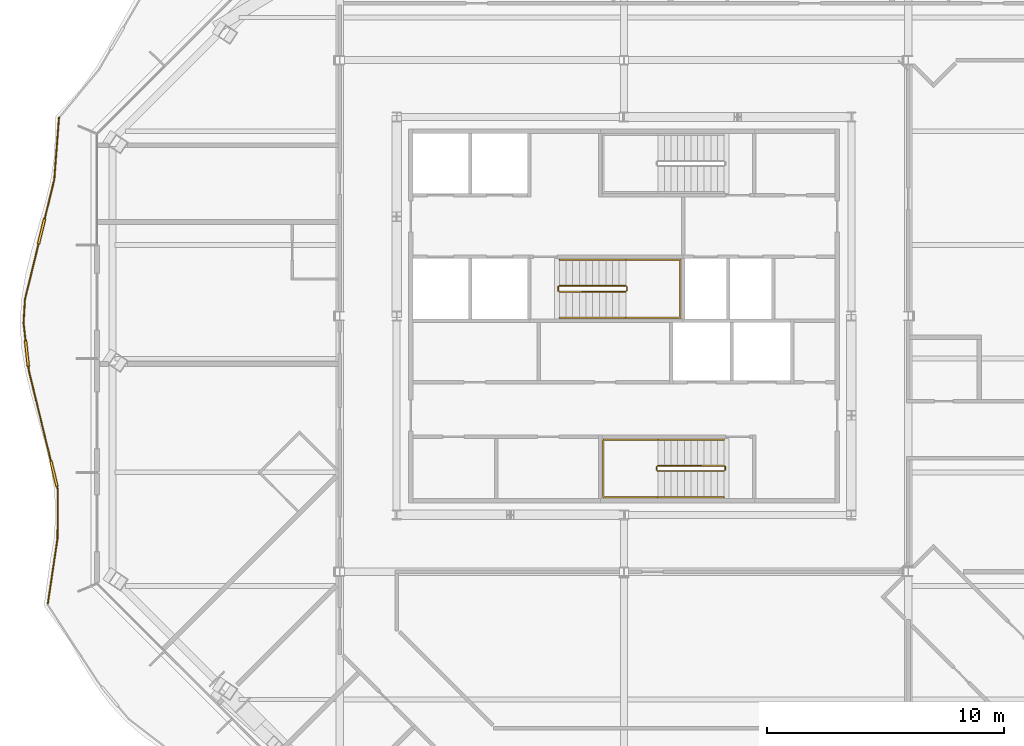
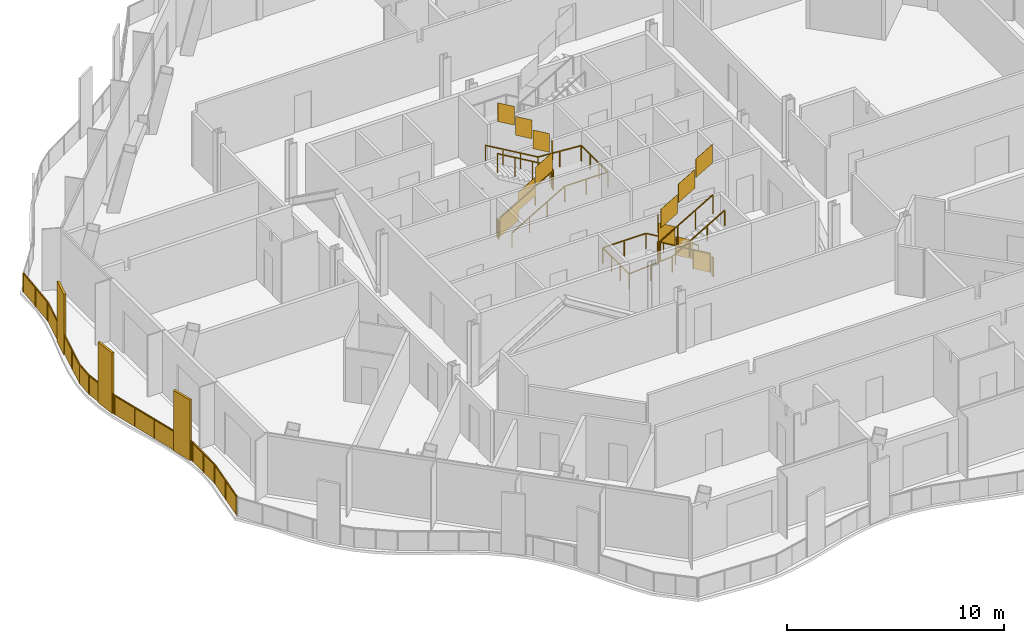
# One storey, part 16 of 19: 7 railings.
"""IFC4 building model written with IfcOpenShell, lengths in metres."""

from ifc_helpers import new_model, si_unit, direction, frame, origin, origin_2d, place, context, subcontext, project, spatial, polyline, rectangle, outline, extrude, material, type_object, element, save


model = new_model("IFC4")

# Units and contexts
model_context = context("Model", 3, precision=1e-05, world=origin(), true_north=direction((0.0, 1.0)))
body_context = subcontext(model_context, "Body", "Model", "MODEL_VIEW")
ifc_project = project(units=[si_unit("LENGTHUNIT", "METRE"), si_unit("AREAUNIT", "SQUARE_METRE"), si_unit("VOLUMEUNIT", "CUBIC_METRE"), si_unit("PLANEANGLEUNIT", "RADIAN"), si_unit("MASSUNIT", "GRAM", prefix="KILO")], contexts=[model_context])

# Site, building, storey
site_placement = place(None, origin())
site = spatial("IfcSite", under=ifc_project, at=site_placement, CompositionType="ELEMENT")
building_placement = place(site_placement, origin())
building = spatial("IfcBuilding", under=site, at=building_placement, Name="Cairn Pilgrim Tower", CompositionType="ELEMENT")
storey_placement = place(building_placement, frame((0.0, 0.0, 193.800048828125)))
storey = spatial("IfcBuildingStorey", under=building, at=storey_placement, Name="L49", CompositionType="ELEMENT", Elevation=193.800048828125)

# Railings
ifc_material_1 = material(Name="Bronze anodised aluminium rail, posts and fin screens with laminated glass infill", Category="aluminium")
railing_type_1 = type_object("IfcRailingType", Name="BALCONY GUARD WITH FIN SCREENS", PredefinedType="GUARDRAIL", material=ifc_material_1)
railing_1_placement = place(storey_placement, frame((-16.65478515625, 10.7626953125, 0.0)))
element("IfcRailing", 1, at=railing_1_placement, inside=storey, type_object=railing_type_1, Name="Balcony guard BGF-7 with fin screens", PredefinedType="GUARDRAIL", context=body_context, shape_type="SweptSolid", body=[
    extrude(rectangle(XDim=0.050048828125, YDim=0.050048828125, at=origin_2d()), frame((0.0, 0.0, 1.0751953125), z_axis=(-0.07608963483, -0.997100981582, 0.0), x_axis=(0.997100981582, -0.07608963483, 0.0)), (0.0, 0.0, 1.0), 2.614990234375),
    extrude(rectangle(XDim=1.10009765625, YDim=0.110107421875, at=origin_2d()), frame((-0.7333984375, -4.790283203125, 0.0), z_axis=(0.0, 0.0, 1.0), x_axis=(-0.237772017759, -0.971320991007, 0.0)), (0.0, 0.0, 1.0), 3.39990234375),
    extrude(rectangle(XDim=0.050048828125, YDim=0.050048828125, at=origin_2d()), frame((-0.198974609375, -2.607421875, 1.0751953125), z_axis=(-0.237772017759, -0.971320991007, 0.0), x_axis=(0.971320991007, -0.237772017759, 0.0)), (0.0, 0.0, 1.0), 1.697265625),
    extrude(rectangle(XDim=0.050048828125, YDim=0.050048828125, at=origin_2d()), frame((-0.864013671875, -5.324462890625, 1.0751953125), z_axis=(-0.237772017759, -0.971320991007, 0.0), x_axis=(0.971320991007, -0.237772017759, 0.0)), (0.0, 0.0, 1.0), 2.4033203125),
    extrude(rectangle(XDim=0.050048828125, YDim=0.050048828125, at=origin_2d()), frame((-1.435546875, -7.658935546875, 1.0751953125), z_axis=(-0.0599120253, -0.998203661196, 0.0), x_axis=(0.998203661196, -0.0599120253, 0.0)), (0.0, 0.0, 1.0), 0.986083984375),
    extrude(rectangle(XDim=1.10009765625, YDim=0.110107421875, at=origin_2d()), frame((-1.353271484375, -9.946044921875, 0.0), z_axis=(0.0, 0.0, 1.0), x_axis=(0.107952211914, -0.994156084296, 0.0)), (0.0, 0.0, 1.0), 3.39990234375),
    extrude(rectangle(XDim=0.050048828125, YDim=0.050048828125, at=origin_2d()), frame((-1.49462890625, -8.643310546875, 1.0751953125), z_axis=(0.107952211914, -0.994156084296, 0.0), x_axis=(0.994156084296, 0.107952211914, 0.0)), (0.0, 0.0, 1.0), 0.760498046875),
    extrude(rectangle(XDim=0.050048828125, YDim=0.050048828125, at=origin_2d()), frame((-1.293701171875, -10.492919921875, 1.0751953125), z_axis=(0.107952211914, -0.994156084296, 0.0), x_axis=(0.994156084296, 0.107952211914, 0.0)), (0.0, 0.0, 1.0), 0.150146484375),
    extrude(rectangle(XDim=1.10009765625, YDim=0.110107421875, at=origin_2d()), frame((-0.2119140625, -15.02294921875, 0.0), z_axis=(0.0, 0.0, 1.0), x_axis=(0.236376696123, -0.971661493284, 0.0)), (0.0, 0.0, 1.0), 3.39990234375),
    extrude(rectangle(XDim=0.050048828125, YDim=0.050048828125, at=origin_2d()), frame((-1.277587890625, -10.64208984375, 1.0751953125), z_axis=(0.236376696123, -0.971661493284, 0.0), x_axis=(0.971661493284, 0.236376696123, 0.0)), (0.0, 0.0, 1.0), 3.95849609375),
    extrude(rectangle(XDim=0.050048828125, YDim=0.050048828125, at=origin_2d()), frame((-0.081787109375, -15.557373046875, 1.0751953125), z_axis=(0.236376696123, -0.971661493284, 0.0), x_axis=(0.971661493284, 0.236376696123, 0.0)), (0.0, 0.0, 1.0), 0.150146484375),
    extrude(rectangle(XDim=0.050048828125, YDim=0.050048828125, at=origin_2d()), frame((-0.04638671875, -15.703125, 1.0751953125), z_axis=(-0.007026145488, -0.999975316335, 0.0), x_axis=(0.999975316335, -0.007026145488, 0.0)), (0.0, 0.0, 1.0), 2.050048828125),
    extrude(rectangle(XDim=0.050048828125, YDim=0.050048828125, at=origin_2d()), frame((-0.060791015625, -17.753173828125, 1.0751953125), z_axis=(-0.147193886074, -0.989107658398, 0.0), x_axis=(0.989107658398, -0.147193886074, 0.0)), (0.0, 0.0, 1.0), 2.77001953125),
    extrude(rectangle(XDim=0.050048828125, YDim=0.050048828125, at=origin_2d()), origin(), (0.0, 0.0, 1.0), 1.050048828125),
    extrude(rectangle(XDim=0.050048828125, YDim=0.050048828125, at=origin_2d()), frame((-0.099609375, -1.3037109375, 0.0)), (0.0, 0.0, 1.0), 1.050048828125),
    extrude(rectangle(XDim=0.050048828125, YDim=0.050048828125, at=origin_2d()), frame((-0.198974609375, -2.607421875, 0.0)), (0.0, 0.0, 1.0), 1.050048828125),
    extrude(rectangle(XDim=0.050048828125, YDim=0.050048828125, at=origin_2d()), frame((-0.5966796875, -4.231689453125, 0.0)), (0.0, 0.0, 1.0), 1.050048828125),
    extrude(rectangle(XDim=0.050048828125, YDim=0.050048828125, at=origin_2d()), frame((-0.8701171875, -5.348876953125, 0.0)), (0.0, 0.0, 1.0), 1.050048828125),
    extrude(rectangle(XDim=0.050048828125, YDim=0.050048828125, at=origin_2d()), frame((-1.15283203125, -6.50390625, 0.0)), (0.0, 0.0, 1.0), 1.050048828125),
    extrude(rectangle(XDim=0.050048828125, YDim=0.050048828125, at=origin_2d()), frame((-1.435546875, -7.658935546875, 0.0)), (0.0, 0.0, 1.0), 1.050048828125),
    extrude(rectangle(XDim=0.050048828125, YDim=0.050048828125, at=origin_2d()), frame((-1.49462890625, -8.643310546875, 0.0)), (0.0, 0.0, 1.0), 1.050048828125),
    extrude(rectangle(XDim=0.050048828125, YDim=0.050048828125, at=origin_2d()), frame((-1.415283203125, -9.374267578125, 0.0)), (0.0, 0.0, 1.0), 1.050048828125),
    extrude(rectangle(XDim=0.050048828125, YDim=0.050048828125, at=origin_2d()), frame((-1.291015625, -10.517822265625, 0.0)), (0.0, 0.0, 1.0), 1.050048828125),
    extrude(rectangle(XDim=0.050048828125, YDim=0.050048828125, at=origin_2d()), frame((-1.277587890625, -10.64208984375, 0.0)), (0.0, 0.0, 1.0), 1.050048828125),
    extrude(rectangle(XDim=0.050048828125, YDim=0.050048828125, at=origin_2d()), frame((-0.9677734375, -11.916015625, 0.0)), (0.0, 0.0, 1.0), 1.050048828125),
    extrude(rectangle(XDim=0.050048828125, YDim=0.050048828125, at=origin_2d()), frame((-0.65771484375, -13.190185546875, 0.0)), (0.0, 0.0, 1.0), 1.050048828125),
    extrude(rectangle(XDim=0.050048828125, YDim=0.050048828125, at=origin_2d()), frame((-0.347900390625, -14.464111328125, 0.0)), (0.0, 0.0, 1.0), 1.050048828125),
    extrude(rectangle(XDim=0.050048828125, YDim=0.050048828125, at=origin_2d()), frame((-0.075927734375, -15.58154296875, 0.0)), (0.0, 0.0, 1.0), 1.050048828125),
    extrude(rectangle(XDim=0.050048828125, YDim=0.050048828125, at=origin_2d()), frame((-0.04638671875, -15.703125, 0.0)), (0.0, 0.0, 1.0), 1.050048828125),
    extrude(rectangle(XDim=0.050048828125, YDim=0.050048828125, at=origin_2d()), frame((-0.0537109375, -16.72802734375, 0.0)), (0.0, 0.0, 1.0), 1.050048828125),
    extrude(rectangle(XDim=0.050048828125, YDim=0.050048828125, at=origin_2d()), frame((-0.060791015625, -17.753173828125, 0.0)), (0.0, 0.0, 1.0), 1.050048828125),
    extrude(rectangle(XDim=0.050048828125, YDim=0.050048828125, at=origin_2d()), frame((-0.2646484375, -19.123046875, 0.0)), (0.0, 0.0, 1.0), 1.050048828125),
    extrude(rectangle(XDim=0.050048828125, YDim=0.050048828125, at=origin_2d()), frame((-0.468505859375, -20.492919921875, 0.0)), (0.0, 0.0, 1.0), 1.050048828125),
    extrude(outline(polyline([(0.02490234375, 0.0), (1.282470703125, 0.0), (1.282470703125, 1.050048828125), (0.02490234375, 1.050048828125), (0.02490234375, 0.0)])), frame((0.005859375, -0.00048828125, 0.0), z_axis=(-0.997100981582, 0.07608963483, 0.0), x_axis=(-0.07608963483, -0.997100981582, 0.0)), (0.0, 0.0, 1.0), 0.011962890625),
    extrude(outline(polyline([(0.02490234375, 0.0), (1.282470703125, 0.0), (1.282470703125, 1.050048828125), (0.02490234375, 1.050048828125), (0.02490234375, 0.0)])), frame((-0.093505859375, -1.30419921875, 0.0), z_axis=(-0.997100981582, 0.07608963483, 0.0), x_axis=(-0.07608963483, -0.997100981582, 0.0)), (0.0, 0.0, 1.0), 0.011962890625),
    extrude(outline(polyline([(0.02490234375, 0.0), (1.647216796875, 0.0), (1.647216796875, 1.050048828125), (0.02490234375, 1.050048828125), (0.02490234375, 0.0)])), frame((-0.193115234375, -2.60888671875, 0.0), z_axis=(-0.971320991007, 0.237772017759, 0.0), x_axis=(-0.237772017759, -0.971320991007, 0.0)), (0.0, 0.0, 1.0), 0.011962890625),
    extrude(outline(polyline([(0.02490234375, 0.0), (1.1640625, 0.0), (1.1640625, 1.050048828125), (0.02490234375, 1.050048828125), (0.02490234375, 0.0)])), frame((-0.8642578125, -5.350341796875, 0.0), z_axis=(-0.971320991007, 0.237772017759, 0.0), x_axis=(-0.237772017759, -0.971320991007, 0.0)), (0.0, 0.0, 1.0), 0.011962890625),
    extrude(outline(polyline([(0.02490234375, 0.0), (1.1640625, 0.0), (1.1640625, 1.050048828125), (0.02490234375, 1.050048828125), (0.02490234375, 0.0)])), frame((-1.14697265625, -6.50537109375, 0.0), z_axis=(-0.971320991007, 0.237772017759, 0.0), x_axis=(-0.237772017759, -0.971320991007, 0.0)), (0.0, 0.0, 1.0), 0.011962890625),
    extrude(outline(polyline([(0.02490234375, 0.0), (0.961181640625, 0.0), (0.961181640625, 1.050048828125), (0.02490234375, 1.050048828125), (0.02490234375, 0.0)])), frame((-1.4296875, -7.6591796875, 0.0), z_axis=(-0.998203661196, 0.0599120253, 0.0), x_axis=(-0.0599120253, -0.998203661196, 0.0)), (0.0, 0.0, 1.0), 0.011962890625),
    extrude(outline(polyline([(0.02490234375, 0.0), (0.71044921875, 0.0), (0.71044921875, 1.050048828125), (0.02490234375, 1.050048828125), (0.02490234375, 0.0)])), frame((-1.48876953125, -8.642578125, 0.0), z_axis=(-0.994156084296, -0.107952211914, 0.0), x_axis=(0.107952211914, -0.994156084296, 0.0)), (0.0, 0.0, 1.0), 0.011962890625),
    extrude(outline(polyline([(0.02490234375, 0.0), (0.10009765625, 0.0), (0.10009765625, 1.050048828125), (0.02490234375, 1.050048828125), (0.02490234375, 0.0)])), frame((-1.28515625, -10.51708984375, 0.0), z_axis=(-0.994156084296, -0.107952211914, 0.0), x_axis=(0.107952211914, -0.994156084296, 0.0)), (0.0, 0.0, 1.0), 0.011962890625),
    extrude(outline(polyline([(0.02490234375, 0.0), (1.2861328125, 0.0), (1.2861328125, 1.050048828125), (0.02490234375, 1.050048828125), (0.02490234375, 0.0)])), frame((-1.271728515625, -10.640625, 0.0), z_axis=(-0.971661493284, -0.236376696123, 0.0), x_axis=(0.236376696123, -0.971661493284, 0.0)), (0.0, 0.0, 1.0), 0.011962890625),
    extrude(outline(polyline([(0.02490234375, 0.0), (1.2861328125, 0.0), (1.2861328125, 1.050048828125), (0.02490234375, 1.050048828125), (0.02490234375, 0.0)])), frame((-0.9619140625, -11.914794921875, 0.0), z_axis=(-0.971661493284, -0.236376696123, 0.0), x_axis=(0.236376696123, -0.971661493284, 0.0)), (0.0, 0.0, 1.0), 0.011962890625),
    extrude(outline(polyline([(0.02490234375, 0.0), (1.2861328125, 0.0), (1.2861328125, 1.050048828125), (0.02490234375, 1.050048828125), (0.02490234375, 0.0)])), frame((-0.65185546875, -13.188720703125, 0.0), z_axis=(-0.971661493284, -0.236376696123, 0.0), x_axis=(0.236376696123, -0.971661493284, 0.0)), (0.0, 0.0, 1.0), 0.011962890625),
    extrude(outline(polyline([(0.02490234375, 0.0), (0.10009765625, 0.0), (0.10009765625, 1.050048828125), (0.02490234375, 1.050048828125), (0.02490234375, 0.0)])), frame((-0.070068359375, -15.580078125, 0.0), z_axis=(-0.971661493284, -0.236376696123, 0.0), x_axis=(0.236376696123, -0.971661493284, 0.0)), (0.0, 0.0, 1.0), 0.011962890625),
    extrude(outline(polyline([(0.02490234375, 0.0), (1.0, 0.0), (1.0, 1.050048828125), (0.02490234375, 1.050048828125), (0.02490234375, 0.0)])), frame((-0.04052734375, -15.703125, 0.0), z_axis=(-0.999975316335, 0.007026145488, 0.0), x_axis=(-0.007026145488, -0.999975316335, 0.0)), (0.0, 0.0, 1.0), 0.011962890625),
    extrude(outline(polyline([(0.02490234375, 0.0), (1.0, 0.0), (1.0, 1.050048828125), (0.02490234375, 1.050048828125), (0.02490234375, 0.0)])), frame((-0.047607421875, -16.728271484375, 0.0), z_axis=(-0.999975316335, 0.007026145488, 0.0), x_axis=(-0.007026145488, -0.999975316335, 0.0)), (0.0, 0.0, 1.0), 0.011962890625),
    extrude(outline(polyline([(0.02490234375, 0.0), (1.35986328125, 0.0), (1.35986328125, 1.050048828125), (0.02490234375, 1.050048828125), (0.02490234375, 0.0)])), frame((-0.054931640625, -17.754150390625, 0.0), z_axis=(-0.989107658398, 0.147193886074, 0.0), x_axis=(-0.147193886074, -0.989107658398, 0.0)), (0.0, 0.0, 1.0), 0.011962890625),
    extrude(outline(polyline([(0.02490234375, 0.0), (1.35986328125, 0.0), (1.35986328125, 1.050048828125), (0.02490234375, 1.050048828125), (0.02490234375, 0.0)])), frame((-0.2587890625, -19.1240234375, 0.0), z_axis=(-0.989107658398, 0.147193886074, 0.0), x_axis=(-0.147193886074, -0.989107658398, 0.0)), (0.0, 0.0, 1.0), 0.011962890625),
])
ifc_material_2 = material(Name="Painted steel", Category="steel")
railing_type_2 = type_object("IfcRailingType", Name="STAIR GUARD 1100", PredefinedType="GUARDRAIL", material=ifc_material_2)
railing_2_placement = place(storey_placement, frame((11.425048828125, -3.925048828125, 0.16357421875)))
element("IfcRailing", 2, at=railing_2_placement, inside=storey, type_object=railing_type_2, Name="L49 ST-A stair guard 1", PredefinedType="GUARDRAIL", context=body_context, shape_type="SweptSolid", body=[
    extrude(rectangle(XDim=0.048095703125, YDim=0.048095703125, at=origin_2d()), frame((0.0, 0.0, 1.076171875), z_axis=(-0.863360870873, 0.0, 0.504586966384), x_axis=(0.0, -1.0, 0.0)), (0.0, 0.0, 1.0), 3.2431640625),
    extrude(rectangle(XDim=0.048095703125, YDim=0.048095703125, at=origin_2d()), frame((-2.800048828125, 0.0, 2.71240234375), z_axis=(-0.707106781187, -0.707106781187, 0.0), x_axis=(0.707106781187, -0.707106781187, 0.0)), (0.0, 0.0, 1.0), 0.07080078125),
    extrude(rectangle(XDim=0.048095703125, YDim=0.048095703125, at=origin_2d()), frame((-2.85009765625, -0.050048828125, 2.71240234375), z_axis=(0.0, -1.0, 0.0), x_axis=(1.0, 0.0, 0.0)), (0.0, 0.0, 1.0), 0.125),
    extrude(rectangle(XDim=0.048095703125, YDim=0.048095703125, at=origin_2d()), frame((-2.85009765625, -0.175048828125, 2.71240234375), z_axis=(0.280916556609, -0.279546231943, 0.91811752648), x_axis=(0.705375805398, 0.708833529934, 0.0)), (0.0, 0.0, 1.0), 0.17822265625),
    extrude(rectangle(XDim=0.048095703125, YDim=0.048095703125, at=origin_2d()), frame((-2.800048828125, -0.224853515625, 2.8759765625), z_axis=(0.863393664356, 0.0, 0.504530851732), x_axis=(0.0, 1.0, 0.0)), (0.0, 0.0, 1.0), 3.2431640625),
    extrude(rectangle(XDim=0.0419921875, YDim=0.0419921875, at=origin_2d()), origin(), (0.0, 0.0, 1.0), 1.052001953125),
    extrude(rectangle(XDim=0.0419921875, YDim=0.0419921875, at=origin_2d()), frame((-0.933349609375, 0.0, 0.54541015625)), (0.0, 0.0, 1.0), 1.052001953125),
    extrude(rectangle(XDim=0.0419921875, YDim=0.0419921875, at=origin_2d()), frame((-1.86669921875, 0.0, 1.091064453125)), (0.0, 0.0, 1.0), 1.052001953125),
    extrude(rectangle(XDim=0.0419921875, YDim=0.0419921875, at=origin_2d()), frame((-2.800048828125, 0.0, 1.636474609375)), (0.0, 0.0, 1.0), 1.052001953125),
    extrude(rectangle(XDim=0.0419921875, YDim=0.0419921875, at=origin_2d()), frame((-2.85009765625, -0.050048828125, 1.636474609375)), (0.0, 0.0, 1.0), 1.052001953125),
    extrude(rectangle(XDim=0.0419921875, YDim=0.0419921875, at=origin_2d()), frame((-2.85009765625, -0.175048828125, 1.636474609375)), (0.0, 0.0, 1.0), 1.052001953125),
    extrude(rectangle(XDim=0.0419921875, YDim=0.0419921875, at=origin_2d()), frame((-2.800048828125, -0.224853515625, 1.800048828125)), (0.0, 0.0, 1.0), 1.052001953125),
    extrude(rectangle(XDim=0.0419921875, YDim=0.0419921875, at=origin_2d()), frame((-1.86669921875, -0.224853515625, 2.345458984375)), (0.0, 0.0, 1.0), 1.052001953125),
    extrude(rectangle(XDim=0.0419921875, YDim=0.0419921875, at=origin_2d()), frame((-0.933349609375, -0.224853515625, 2.890869140625)), (0.0, 0.0, 1.0), 1.052001953125),
    extrude(rectangle(XDim=0.0419921875, YDim=0.0419921875, at=origin_2d()), frame((0.0, -0.224853515625, 3.436279296875)), (0.0, 0.0, 1.0), 1.052001953125),
    extrude(outline(polyline([(0.02099609375, 0.01220703125), (0.912353515625, 0.533203125), (0.912353515625, 1.585205078125), (0.02099609375, 1.064208984375), (0.02099609375, 0.01220703125)])), frame((0.0, -0.005859375, 0.0), z_axis=(0.0, 1.0, 0.0), x_axis=(-1.0, 0.0, 0.0)), (0.0, 0.0, 1.0), 0.011962890625),
    extrude(outline(polyline([(0.02099609375, 0.557861328125), (0.912353515625, 1.07861328125), (0.912353515625, 2.130615234375), (0.02099609375, 1.60986328125), (0.02099609375, 0.557861328125)])), frame((-0.933349609375, -0.005859375, 0.54541015625), z_axis=(0.0, 1.0, 0.0), x_axis=(-1.0, 0.0, 0.0)), (0.0, 0.0, 1.0), 0.011962890625),
    extrude(outline(polyline([(0.02099609375, 1.103271484375), (0.912353515625, 1.624267578125), (0.912353515625, 2.67626953125), (0.02099609375, 2.1552734375), (0.02099609375, 1.103271484375)])), frame((-1.86669921875, -0.005859375, 1.091064453125), z_axis=(0.0, 1.0, 0.0), x_axis=(-1.0, 0.0, 0.0)), (0.0, 0.0, 1.0), 0.011962890625),
    extrude(outline(polyline([(0.02099609375, 1.636474609375), (0.10400390625, 1.636474609375), (0.10400390625, 2.6884765625), (0.02099609375, 2.6884765625), (0.02099609375, 1.636474609375)])), frame((-2.84423828125, -0.050048828125, 1.636474609375), z_axis=(-1.0, 0.0, 0.0), x_axis=(0.0, -1.0, 0.0)), (0.0, 0.0, 1.0), 0.011962890625),
    extrude(outline(polyline([(0.02099609375, 1.812255859375), (0.912353515625, 2.333251953125), (0.912353515625, 3.38525390625), (0.02099609375, 2.8642578125), (0.02099609375, 1.812255859375)])), frame((-2.800048828125, -0.21875, 1.800048828125), z_axis=(0.0, -1.0, 0.0), x_axis=(1.0, 0.0, 0.0)), (0.0, 0.0, 1.0), 0.011962890625),
    extrude(outline(polyline([(0.02099609375, 2.357666015625), (0.912353515625, 2.878662109375), (0.912353515625, 3.9306640625), (0.02099609375, 3.40966796875), (0.02099609375, 2.357666015625)])), frame((-1.86669921875, -0.21875, 2.345458984375), z_axis=(0.0, -1.0, 0.0), x_axis=(1.0, 0.0, 0.0)), (0.0, 0.0, 1.0), 0.011962890625),
    extrude(outline(polyline([(0.02099609375, 2.903076171875), (0.912353515625, 3.424072265625), (0.912353515625, 4.47607421875), (0.02099609375, 3.955078125), (0.02099609375, 2.903076171875)])), frame((-0.933349609375, -0.21875, 2.890869140625), z_axis=(0.0, -1.0, 0.0), x_axis=(1.0, 0.0, 0.0)), (0.0, 0.0, 1.0), 0.011962890625),
])
railing_3_placement = place(storey_placement, frame((11.47509765625, -3.97509765625, 0.0)))
element("IfcRailing", 3, at=railing_3_placement, inside=storey, type_object=railing_type_2, Name="L49 ST-A stair guard 2", PredefinedType="GUARDRAIL", context=body_context, shape_type="SweptSolid", body=[
    extrude(rectangle(XDim=0.048095703125, YDim=0.048095703125, at=origin_2d()), frame((0.0, 0.0, 1.076171875), z_axis=(0.0, -1.0, 0.0), x_axis=(1.0, 0.0, 0.0)), (0.0, 0.0, 1.0), 0.125),
    extrude(rectangle(XDim=0.0419921875, YDim=0.0419921875, at=origin_2d()), origin(), (0.0, 0.0, 1.0), 1.052001953125),
    extrude(rectangle(XDim=0.0419921875, YDim=0.0419921875, at=origin_2d()), frame((0.0, -0.125, 0.0)), (0.0, 0.0, 1.0), 1.052001953125),
    extrude(outline(polyline([(0.02099609375, 0.0), (0.10400390625, 0.0), (0.10400390625, 1.052001953125), (0.02099609375, 1.052001953125), (0.02099609375, 0.0)])), frame((0.005859375, 0.0, 0.0), z_axis=(-1.0, 0.0, 0.0), x_axis=(0.0, -1.0, 0.0)), (0.0, 0.0, 1.0), 0.011962890625),
])
railing_4_placement = place(storey_placement, frame((4.47509765625, 3.425048828125, 0.16357421875)))
element("IfcRailing", 4, at=railing_4_placement, inside=storey, type_object=railing_type_2, Name="L49 ST-B stair guard 1", PredefinedType="GUARDRAIL", context=body_context, shape_type="SweptSolid", body=[
    extrude(rectangle(XDim=0.048095703125, YDim=0.048095703125, at=origin_2d()), frame((0.0, 0.0, 1.076171875), z_axis=(0.863341702679, 0.0, 0.504619762213), x_axis=(0.0, 1.0, 0.0)), (0.0, 0.0, 1.0), 3.242919921875),
    extrude(rectangle(XDim=0.048095703125, YDim=0.048095703125, at=origin_2d()), frame((2.7998046875, 0.0, 2.71240234375), z_axis=(0.707106781187, 0.707106781187, 0.0), x_axis=(-0.707106781187, 0.707106781187, 0.0)), (0.0, 0.0, 1.0), 0.07080078125),
    extrude(rectangle(XDim=0.048095703125, YDim=0.048095703125, at=origin_2d()), frame((2.849853515625, 0.050048828125, 2.71240234375), z_axis=(0.0, 1.0, 0.0), x_axis=(-1.0, 0.0, 0.0)), (0.0, 0.0, 1.0), 0.14990234375),
    extrude(rectangle(XDim=0.048095703125, YDim=0.048095703125, at=origin_2d()), frame((2.849853515625, 0.199951171875, 2.71240234375), z_axis=(-0.280808744504, 0.280808744504, 0.917765164963), x_axis=(-0.707106781187, -0.707106781187, 0.0)), (0.0, 0.0, 1.0), 0.17822265625),
    extrude(rectangle(XDim=0.048095703125, YDim=0.048095703125, at=origin_2d()), frame((2.7998046875, 0.25, 2.8759765625), z_axis=(-0.863374499697, 0.0, 0.504563646405), x_axis=(0.0, -1.0, 0.0)), (0.0, 0.0, 1.0), 3.242919921875),
    extrude(rectangle(XDim=0.0419921875, YDim=0.0419921875, at=origin_2d()), origin(), (0.0, 0.0, 1.0), 1.052001953125),
    extrude(rectangle(XDim=0.0419921875, YDim=0.0419921875, at=origin_2d()), frame((0.933349609375, 0.0, 0.54541015625)), (0.0, 0.0, 1.0), 1.052001953125),
    extrude(rectangle(XDim=0.0419921875, YDim=0.0419921875, at=origin_2d()), frame((1.866455078125, 0.0, 1.091064453125)), (0.0, 0.0, 1.0), 1.052001953125),
    extrude(rectangle(XDim=0.0419921875, YDim=0.0419921875, at=origin_2d()), frame((2.7998046875, 0.0, 1.636474609375)), (0.0, 0.0, 1.0), 1.052001953125),
    extrude(rectangle(XDim=0.0419921875, YDim=0.0419921875, at=origin_2d()), frame((2.849853515625, 0.050048828125, 1.636474609375)), (0.0, 0.0, 1.0), 1.052001953125),
    extrude(rectangle(XDim=0.0419921875, YDim=0.0419921875, at=origin_2d()), frame((2.849853515625, 0.199951171875, 1.636474609375)), (0.0, 0.0, 1.0), 1.052001953125),
    extrude(rectangle(XDim=0.0419921875, YDim=0.0419921875, at=origin_2d()), frame((2.7998046875, 0.25, 1.800048828125)), (0.0, 0.0, 1.0), 1.052001953125),
    extrude(rectangle(XDim=0.0419921875, YDim=0.0419921875, at=origin_2d()), frame((1.866455078125, 0.25, 2.345458984375)), (0.0, 0.0, 1.0), 1.052001953125),
    extrude(rectangle(XDim=0.0419921875, YDim=0.0419921875, at=origin_2d()), frame((0.933349609375, 0.25, 2.890869140625)), (0.0, 0.0, 1.0), 1.052001953125),
    extrude(rectangle(XDim=0.0419921875, YDim=0.0419921875, at=origin_2d()), frame((0.0, 0.25, 3.436279296875)), (0.0, 0.0, 1.0), 1.052001953125),
    extrude(outline(polyline([(0.02099609375, 0.01220703125), (0.912353515625, 0.533203125), (0.912353515625, 1.585205078125), (0.02099609375, 1.064208984375), (0.02099609375, 0.01220703125)])), frame((0.0, 0.005859375, 0.0), z_axis=(0.0, -1.0, 0.0), x_axis=(1.0, 0.0, 0.0)), (0.0, 0.0, 1.0), 0.011962890625),
    extrude(outline(polyline([(0.02099609375, 0.557861328125), (0.912353515625, 1.07861328125), (0.912353515625, 2.130615234375), (0.02099609375, 1.60986328125), (0.02099609375, 0.557861328125)])), frame((0.933349609375, 0.005859375, 0.54541015625), z_axis=(0.0, -1.0, 0.0), x_axis=(1.0, 0.0, 0.0)), (0.0, 0.0, 1.0), 0.011962890625),
    extrude(outline(polyline([(0.02099609375, 1.103271484375), (0.912353515625, 1.624267578125), (0.912353515625, 2.67626953125), (0.02099609375, 2.1552734375), (0.02099609375, 1.103271484375)])), frame((1.866455078125, 0.005859375, 1.091064453125), z_axis=(0.0, -1.0, 0.0), x_axis=(1.0, 0.0, 0.0)), (0.0, 0.0, 1.0), 0.011962890625),
    extrude(outline(polyline([(0.02099609375, 1.636474609375), (0.12890625, 1.636474609375), (0.12890625, 2.6884765625), (0.02099609375, 2.6884765625), (0.02099609375, 1.636474609375)])), frame((2.84375, 0.050048828125, 1.636474609375), z_axis=(1.0, 0.0, 0.0), x_axis=(0.0, 1.0, 0.0)), (0.0, 0.0, 1.0), 0.011962890625),
    extrude(outline(polyline([(0.02099609375, 1.812255859375), (0.912353515625, 2.333251953125), (0.912353515625, 3.38525390625), (0.02099609375, 2.8642578125), (0.02099609375, 1.812255859375)])), frame((2.7998046875, 0.244140625, 1.800048828125), z_axis=(0.0, 1.0, 0.0), x_axis=(-1.0, 0.0, 0.0)), (0.0, 0.0, 1.0), 0.011962890625),
    extrude(outline(polyline([(0.02099609375, 2.357666015625), (0.912353515625, 2.878662109375), (0.912353515625, 3.9306640625), (0.02099609375, 3.40966796875), (0.02099609375, 2.357666015625)])), frame((1.866455078125, 0.244140625, 2.345458984375), z_axis=(0.0, 1.0, 0.0), x_axis=(-1.0, 0.0, 0.0)), (0.0, 0.0, 1.0), 0.011962890625),
    extrude(outline(polyline([(0.02099609375, 2.903076171875), (0.912353515625, 3.424072265625), (0.912353515625, 4.47607421875), (0.02099609375, 3.955078125), (0.02099609375, 2.903076171875)])), frame((0.933349609375, 0.244140625, 2.890869140625), z_axis=(0.0, 1.0, 0.0), x_axis=(-1.0, 0.0, 0.0)), (0.0, 0.0, 1.0), 0.011962890625),
])
railing_5_placement = place(storey_placement, frame((4.425048828125, 3.47509765625, 0.0)))
element("IfcRailing", 5, at=railing_5_placement, inside=storey, type_object=railing_type_2, Name="L49 ST-B stair guard 2", PredefinedType="GUARDRAIL", context=body_context, shape_type="SweptSolid", body=[
    extrude(rectangle(XDim=0.048095703125, YDim=0.048095703125, at=origin_2d()), frame((0.0, 0.0, 1.076171875), z_axis=(0.0, 1.0, 0.0), x_axis=(-1.0, 0.0, 0.0)), (0.0, 0.0, 1.0), 0.14990234375),
    extrude(rectangle(XDim=0.0419921875, YDim=0.0419921875, at=origin_2d()), origin(), (0.0, 0.0, 1.0), 1.052001953125),
    extrude(rectangle(XDim=0.0419921875, YDim=0.0419921875, at=origin_2d()), frame((0.0, 0.14990234375, 0.0)), (0.0, 0.0, 1.0), 1.052001953125),
    extrude(outline(polyline([(0.02099609375, 0.0), (0.12890625, 0.0), (0.12890625, 1.052001953125), (0.02099609375, 1.052001953125), (0.02099609375, 0.0)])), frame((-0.005859375, 0.0, 0.0), z_axis=(1.0, 0.0, 0.0), x_axis=(0.0, 1.0, 0.0)), (0.0, 0.0, 1.0), 0.011962890625),
])
railing_type_3 = type_object("IfcRailingType", Name="STAIR HANDRAIL 900", PredefinedType="HANDRAIL", material=ifc_material_2)
railing_6_placement = place(storey_placement, frame((11.425048828125, -2.824951171875, 0.16357421875)))
element("IfcRailing", 6, at=railing_6_placement, inside=storey, type_object=railing_type_3, Name="L49 ST-A stair handrail 1", PredefinedType="HANDRAIL", context=body_context, shape_type="SweptSolid", body=[
    extrude(rectangle(XDim=0.048095703125, YDim=0.048095703125, at=origin_2d()), frame((0.0, 0.0, 0.8759765625), z_axis=(-0.863360870873, 0.0, 0.504586966384), x_axis=(0.0, -1.0, 0.0)), (0.0, 0.0, 1.0), 3.2431640625),
    extrude(rectangle(XDim=0.048095703125, YDim=0.048095703125, at=origin_2d()), frame((-2.800048828125, 0.0, 2.51220703125), z_axis=(-1.0, 0.0, 0.0), x_axis=(0.0, -1.0, 0.0)), (0.0, 0.0, 1.0), 2.300048828125),
    extrude(rectangle(XDim=0.048095703125, YDim=0.048095703125, at=origin_2d()), frame((-5.10009765625, 0.0, 2.51220703125), z_axis=(0.0, -1.0, 0.0), x_axis=(1.0, 0.0, 0.0)), (0.0, 0.0, 1.0), 2.425048828125),
    extrude(rectangle(XDim=0.048095703125, YDim=0.048095703125, at=origin_2d()), frame((-5.10009765625, -2.425048828125, 2.51220703125), z_axis=(0.997480687736, 0.0, 0.070938548008), x_axis=(0.0, 1.0, 0.0)), (0.0, 0.0, 1.0), 2.305908203125),
    extrude(rectangle(XDim=0.048095703125, YDim=0.048095703125, at=origin_2d()), frame((-2.800048828125, -2.425048828125, 2.67578125), z_axis=(0.863393664356, 0.0, 0.504530851732), x_axis=(0.0, 1.0, 0.0)), (0.0, 0.0, 1.0), 3.2431640625),
    extrude(rectangle(XDim=0.0419921875, YDim=0.0419921875, at=origin_2d()), origin(), (0.0, 0.0, 1.0), 0.851806640625),
    extrude(rectangle(XDim=0.0419921875, YDim=0.0419921875, at=origin_2d()), frame((-0.933349609375, 0.0, 0.54541015625)), (0.0, 0.0, 1.0), 0.851806640625),
    extrude(rectangle(XDim=0.0419921875, YDim=0.0419921875, at=origin_2d()), frame((-1.86669921875, 0.0, 1.091064453125)), (0.0, 0.0, 1.0), 0.851806640625),
    extrude(rectangle(XDim=0.0419921875, YDim=0.0419921875, at=origin_2d()), frame((-2.800048828125, 0.0, 1.636474609375)), (0.0, 0.0, 1.0), 0.851806640625),
    extrude(rectangle(XDim=0.0419921875, YDim=0.0419921875, at=origin_2d()), frame((-3.9501953125, 0.0, 1.636474609375)), (0.0, 0.0, 1.0), 0.851806640625),
    extrude(rectangle(XDim=0.0419921875, YDim=0.0419921875, at=origin_2d()), frame((-5.10009765625, 0.0, 1.636474609375)), (0.0, 0.0, 1.0), 0.851806640625),
    extrude(rectangle(XDim=0.0419921875, YDim=0.0419921875, at=origin_2d()), frame((-5.10009765625, -0.808349609375, 1.636474609375)), (0.0, 0.0, 1.0), 0.851806640625),
    extrude(rectangle(XDim=0.0419921875, YDim=0.0419921875, at=origin_2d()), frame((-5.10009765625, -1.61669921875, 1.636474609375)), (0.0, 0.0, 1.0), 0.851806640625),
    extrude(rectangle(XDim=0.0419921875, YDim=0.0419921875, at=origin_2d()), frame((-5.10009765625, -2.425048828125, 1.636474609375)), (0.0, 0.0, 1.0), 0.851806640625),
    extrude(rectangle(XDim=0.0419921875, YDim=0.0419921875, at=origin_2d()), frame((-3.9501953125, -2.425048828125, 1.71826171875)), (0.0, 0.0, 1.0), 0.851806640625),
    extrude(rectangle(XDim=0.0419921875, YDim=0.0419921875, at=origin_2d()), frame((-2.800048828125, -2.425048828125, 1.800048828125)), (0.0, 0.0, 1.0), 0.851806640625),
    extrude(rectangle(XDim=0.0419921875, YDim=0.0419921875, at=origin_2d()), frame((-1.86669921875, -2.425048828125, 2.345458984375)), (0.0, 0.0, 1.0), 0.851806640625),
    extrude(rectangle(XDim=0.0419921875, YDim=0.0419921875, at=origin_2d()), frame((-0.933349609375, -2.425048828125, 2.890869140625)), (0.0, 0.0, 1.0), 0.851806640625),
    extrude(rectangle(XDim=0.0419921875, YDim=0.0419921875, at=origin_2d()), frame((0.0, -2.425048828125, 3.436279296875)), (0.0, 0.0, 1.0), 0.851806640625),
])
railing_7_placement = place(storey_placement, frame((4.47509765625, 2.324951171875, 0.16357421875)))
element("IfcRailing", 7, at=railing_7_placement, inside=storey, type_object=railing_type_3, Name="L49 ST-B stair handrail 1", PredefinedType="HANDRAIL", context=body_context, shape_type="SweptSolid", body=[
    extrude(rectangle(XDim=0.048095703125, YDim=0.048095703125, at=origin_2d()), frame((0.0, 0.0, 0.8759765625), z_axis=(0.863341702679, 0.0, 0.504619762213), x_axis=(0.0, 1.0, 0.0)), (0.0, 0.0, 1.0), 3.242919921875),
    extrude(rectangle(XDim=0.048095703125, YDim=0.048095703125, at=origin_2d()), frame((2.7998046875, 0.0, 2.51220703125), z_axis=(1.0, 0.0, 0.0), x_axis=(0.0, 1.0, 0.0)), (0.0, 0.0, 1.0), 2.300048828125),
    extrude(rectangle(XDim=0.048095703125, YDim=0.048095703125, at=origin_2d()), frame((5.099853515625, 0.0, 2.51220703125), z_axis=(0.0, 1.0, 0.0), x_axis=(-1.0, 0.0, 0.0)), (0.0, 0.0, 1.0), 2.449951171875),
    extrude(rectangle(XDim=0.048095703125, YDim=0.048095703125, at=origin_2d()), frame((5.099853515625, 2.449951171875, 2.51220703125), z_axis=(-0.997480687736, 0.0, 0.070938548008), x_axis=(0.0, -1.0, 0.0)), (0.0, 0.0, 1.0), 2.305908203125),
    extrude(rectangle(XDim=0.048095703125, YDim=0.048095703125, at=origin_2d()), frame((2.7998046875, 2.449951171875, 2.67578125), z_axis=(-0.863374499697, 0.0, 0.504563646405), x_axis=(0.0, -1.0, 0.0)), (0.0, 0.0, 1.0), 3.242919921875),
    extrude(rectangle(XDim=0.0419921875, YDim=0.0419921875, at=origin_2d()), origin(), (0.0, 0.0, 1.0), 0.851806640625),
    extrude(rectangle(XDim=0.0419921875, YDim=0.0419921875, at=origin_2d()), frame((0.933349609375, 0.0, 0.54541015625)), (0.0, 0.0, 1.0), 0.851806640625),
    extrude(rectangle(XDim=0.0419921875, YDim=0.0419921875, at=origin_2d()), frame((1.866455078125, 0.0, 1.091064453125)), (0.0, 0.0, 1.0), 0.851806640625),
    extrude(rectangle(XDim=0.0419921875, YDim=0.0419921875, at=origin_2d()), frame((2.7998046875, 0.0, 1.636474609375)), (0.0, 0.0, 1.0), 0.851806640625),
    extrude(rectangle(XDim=0.0419921875, YDim=0.0419921875, at=origin_2d()), frame((3.94970703125, 0.0, 1.636474609375)), (0.0, 0.0, 1.0), 0.851806640625),
    extrude(rectangle(XDim=0.0419921875, YDim=0.0419921875, at=origin_2d()), frame((5.099853515625, 0.0, 1.636474609375)), (0.0, 0.0, 1.0), 0.851806640625),
    extrude(rectangle(XDim=0.0419921875, YDim=0.0419921875, at=origin_2d()), frame((5.099853515625, 0.816650390625, 1.636474609375)), (0.0, 0.0, 1.0), 0.851806640625),
    extrude(rectangle(XDim=0.0419921875, YDim=0.0419921875, at=origin_2d()), frame((5.099853515625, 1.63330078125, 1.636474609375)), (0.0, 0.0, 1.0), 0.851806640625),
    extrude(rectangle(XDim=0.0419921875, YDim=0.0419921875, at=origin_2d()), frame((5.099853515625, 2.449951171875, 1.636474609375)), (0.0, 0.0, 1.0), 0.851806640625),
    extrude(rectangle(XDim=0.0419921875, YDim=0.0419921875, at=origin_2d()), frame((3.94970703125, 2.449951171875, 1.71826171875)), (0.0, 0.0, 1.0), 0.851806640625),
    extrude(rectangle(XDim=0.0419921875, YDim=0.0419921875, at=origin_2d()), frame((2.7998046875, 2.449951171875, 1.800048828125)), (0.0, 0.0, 1.0), 0.851806640625),
    extrude(rectangle(XDim=0.0419921875, YDim=0.0419921875, at=origin_2d()), frame((1.866455078125, 2.449951171875, 2.345458984375)), (0.0, 0.0, 1.0), 0.851806640625),
    extrude(rectangle(XDim=0.0419921875, YDim=0.0419921875, at=origin_2d()), frame((0.933349609375, 2.449951171875, 2.890869140625)), (0.0, 0.0, 1.0), 0.851806640625),
    extrude(rectangle(XDim=0.0419921875, YDim=0.0419921875, at=origin_2d()), frame((0.0, 2.449951171875, 3.436279296875)), (0.0, 0.0, 1.0), 0.851806640625),
])

save(model, "model.ifc")
